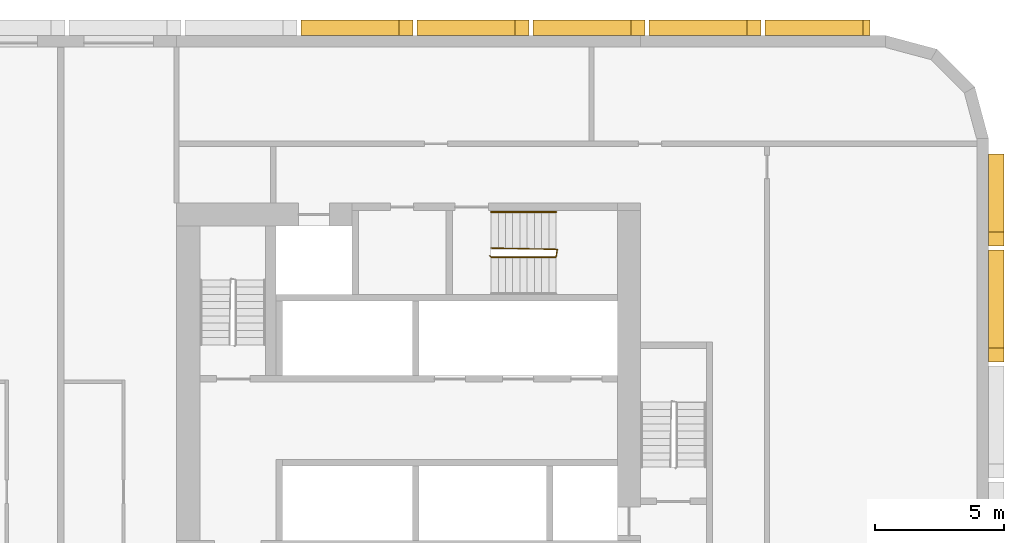
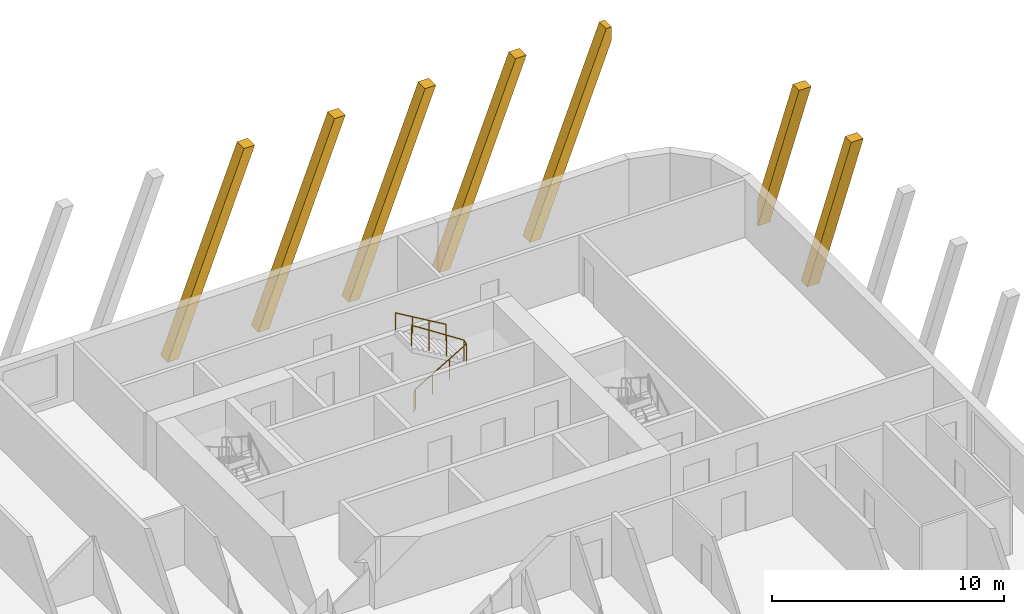
# One storey, part 13 of 13: 7 coverings, 2 railings.
"""IFC4 building model written with IfcOpenShell, lengths in metres."""

from ifc_helpers import new_model, si_unit, direction, frame, origin, origin_2d, place, context, subcontext, project, spatial, polyline, rectangle, circle, outline, extrude, material, material_profile, profile_set, type_object, element, save


model = new_model("IFC4")

# Units and contexts
model_context = context("Model", 3, precision=1e-05, world=origin(), true_north=direction((0.0, 1.0)))
body_context = subcontext(model_context, "Body", "Model", "MODEL_VIEW")
ifc_project = project(units=[si_unit("LENGTHUNIT", "METRE"), si_unit("AREAUNIT", "SQUARE_METRE"), si_unit("VOLUMEUNIT", "CUBIC_METRE"), si_unit("PLANEANGLEUNIT", "RADIAN"), si_unit("MASSUNIT", "GRAM", prefix="KILO")], contexts=[model_context])

# Site, building, storey
site_placement = place(None, origin())
site = spatial("IfcSite", under=ifc_project, at=site_placement, CompositionType="ELEMENT")
building_placement = place(site_placement, origin())
building = spatial("IfcBuilding", under=site, at=building_placement, Name="Kajstack Hotel Tower", CompositionType="ELEMENT")
storey_placement = place(building_placement, frame((0.0, 0.0, 69.89990234375)))
storey = spatial("IfcBuildingStorey", under=building, at=storey_placement, Name="L12", CompositionType="ELEMENT", Elevation=69.89990234375)

# Coverings
ifc_material_1 = material(Name="Terracotta", Category="masonry")
ifc_material_profile = material_profile(ifc_material_1, rectangle(XDim=0.60009765625, YDim=0.5, at=origin_2d()), Name="Terracotta-clad concrete baguette 500 x 600")
ifc_profile_set = profile_set([ifc_material_profile], Name="Terracotta")
covering_type = type_object("IfcCoveringType", Name="BAGUETTE 500x600", PredefinedType="CLADDING", material=ifc_profile_set)
covering_1_placement = place(storey_placement, frame((45.0, 9.332275390625, 0.0), z_axis=(1.0, 0.0, 0.0), x_axis=(0.0, 1.0, 0.0)))
element("IfcCovering", 1, at=covering_1_placement, inside=storey, type_object=covering_type, Name="Baguette L12-07-025", PredefinedType="CLADDING", context=body_context, shape_type="SweptSolid", body=[
    extrude(outline(polyline([(0.0, 9.89990234375), (3.80029296875, 0.0), (4.3359375, 0.0), (0.53564453125, 9.89990234375), (0.0, 9.89990234375)])), origin(), (0.0, 0.0, 1.0), 0.60009765625),
])
covering_2_placement = place(storey_placement, frame((45.0, 13.832275390625, 0.0), z_axis=(1.0, 0.0, 0.0), x_axis=(0.0, 1.0, 0.0)))
element("IfcCovering", 2, at=covering_2_placement, inside=storey, type_object=covering_type, Name="Baguette L12-07-029", PredefinedType="CLADDING", context=body_context, shape_type="SweptSolid", body=[
    extrude(outline(polyline([(0.0, 9.89990234375), (3.56787109375, 0.605712890625), (3.56787109375, 2.000732421875), (0.53564453125, 9.89990234375), (0.0, 9.89990234375)])), origin(), (0.0, 0.0, 1.0), 0.60009765625),
])
covering_3_placement = place(storey_placement, frame((40.39990234375, 22.0, 0.0), z_axis=(0.0, 1.0, 0.0), x_axis=(-1.0, 0.0, 0.0)))
element("IfcCovering", 3, at=covering_3_placement, inside=storey, type_object=covering_type, Name="Baguette L12-11-001", PredefinedType="CLADDING", context=body_context, shape_type="SweptSolid", body=[
    extrude(outline(polyline([(0.267822265625, 9.89990234375), (0.0, 9.89990234375), (0.0, 9.202392578125), (3.532470703125, 0.0), (4.068115234375, 0.0), (0.267822265625, 9.89990234375)])), origin(), (0.0, 0.0, 1.0), 0.60009765625),
])
for number, where, z_axis, x_axis, name in (
    (4, (36.167724609375, 22.0, 0.0), (0.0, 1.0, 0.0), (-1.0, 0.0, 0.0), "Baguette L12-11-005"),
    (5, (31.667724609375, 22.0, 0.0), (0.0, 1.0, 0.0), (-1.0, 0.0, 0.0), "Baguette L12-11-009"),
    (6, (27.167724609375, 22.0, 0.0), (0.0, 1.0, 0.0), (-1.0, 0.0, 0.0), "Baguette L12-11-013"),
    (7, (22.667724609375, 22.0, 0.0), (0.0, 1.0, 0.0), (-1.0, 0.0, 0.0), "Baguette L12-11-017"),
):
    element("IfcCovering", number, at=place(storey_placement, frame(where, z_axis=z_axis, x_axis=x_axis)), inside=storey, type_object=covering_type, Name=name, PredefinedType="CLADDING", context=body_context, shape_type="SweptSolid", body=[
        extrude(outline(polyline([(0.0, 9.89990234375), (3.80029296875, 0.0), (4.3359375, 0.0), (0.53564453125, 9.89990234375), (0.0, 9.89990234375)])), origin(), (0.0, 0.0, 1.0), 0.60009765625),
    ])

# Railings
ifc_material_2 = material(Name="Steel S355J2", Category="steel")
railing_type_1 = type_object("IfcRailingType", Name="Stair guard 1100", PredefinedType="GUARDRAIL", material=ifc_material_2)
railing_1_placement = place(storey_placement, frame((25.64990234375, 13.449951171875, 0.0)))
element("IfcRailing", 8, at=railing_1_placement, inside=storey, type_object=railing_type_1, Name="L12 E3 stair guard 1", PredefinedType="GUARDRAIL", context=body_context, shape_type="SweptSolid", body=[
    extrude(circle(Radius=0.02392578125, at=origin_2d()), frame((0.0, 0.0, 1.076171875), z_axis=(0.278705021027, -0.278705021027, 0.919046801044), x_axis=(0.707106781187, 0.707106781187, 0.0)), (0.0, 0.0, 1.0), 0.1796875),
    extrude(circle(Radius=0.02392578125, at=origin_2d()), frame((0.050048828125, -0.050048828125, 1.2412109375), z_axis=(0.86152411907, 0.0, 0.507716645641), x_axis=(0.0, 1.0, 0.0)), (0.0, 0.0, 1.0), 2.925048828125),
    extrude(circle(Radius=0.02392578125, at=origin_2d()), frame((2.570068359375, -0.050048828125, 2.72607421875), z_axis=(0.164529134168, 0.986372223864, 0.0), x_axis=(-0.986372223864, 0.164529134168, 0.0)), (0.0, 0.0, 1.0), 0.30419921875),
    extrude(circle(Radius=0.02392578125, at=origin_2d()), frame((2.6201171875, 0.25, 2.72607421875), z_axis=(-0.841405582595, 0.016385308676, 0.540155687962), x_axis=(-0.019470042781, -0.999810440751, 0.0)), (0.0, 0.0, 1.0), 3.054443359375),
    extrude(circle(Radius=0.02099609375, at=origin_2d()), origin(), (0.0, 0.0, 1.0), 1.052001953125),
    extrude(circle(Radius=0.02099609375, at=origin_2d()), frame((0.050048828125, -0.050048828125, 0.1650390625)), (0.0, 0.0, 1.0), 1.052001953125),
    extrude(circle(Radius=0.02099609375, at=origin_2d()), frame((0.89013671875, -0.050048828125, 0.66015625)), (0.0, 0.0, 1.0), 1.052001953125),
    extrude(circle(Radius=0.02099609375, at=origin_2d()), frame((1.72998046875, -0.050048828125, 1.155029296875)), (0.0, 0.0, 1.0), 1.052001953125),
    extrude(circle(Radius=0.02099609375, at=origin_2d()), frame((2.570068359375, -0.050048828125, 1.650146484375)), (0.0, 0.0, 1.0), 1.052001953125),
    extrude(circle(Radius=0.02099609375, at=origin_2d()), frame((2.6201171875, 0.25, 1.650146484375)), (0.0, 0.0, 1.0), 1.052001953125),
    extrude(circle(Radius=0.02099609375, at=origin_2d()), frame((1.763427734375, 0.2666015625, 2.2001953125)), (0.0, 0.0, 1.0), 1.052001953125),
    extrude(circle(Radius=0.02099609375, at=origin_2d()), frame((0.90673828125, 0.283447265625, 2.75)), (0.0, 0.0, 1.0), 1.052001953125),
    extrude(circle(Radius=0.02099609375, at=origin_2d()), frame((0.050048828125, 0.300048828125, 3.300048828125)), (0.0, 0.0, 1.0), 1.052001953125),
])
railing_type_2 = type_object("IfcRailingType", Name="Stair handrail 900", PredefinedType="HANDRAIL", material=ifc_material_2)
railing_2_placement = place(storey_placement, frame((28.219970703125, 15.14990234375, 1.815185546875)))
element("IfcRailing", 9, at=railing_2_placement, inside=storey, type_object=railing_type_2, Name="L12 E3 stair handrail 2", PredefinedType="HANDRAIL", context=body_context, shape_type="SweptSolid", body=[
    extrude(circle(Radius=0.02392578125, at=origin_2d()), frame((0.0, 0.0, 0.8759765625), z_axis=(-0.861560626758, 0.0, 0.507654692109), x_axis=(0.0, -1.0, 0.0)), (0.0, 0.0, 1.0), 2.925048828125),
    extrude(circle(Radius=0.02099609375, at=origin_2d()), origin(), (0.0, 0.0, 1.0), 0.851806640625),
    extrude(circle(Radius=0.02099609375, at=origin_2d()), frame((-0.840087890625, 0.0, 0.494873046875)), (0.0, 0.0, 1.0), 0.851806640625),
    extrude(circle(Radius=0.02099609375, at=origin_2d()), frame((-1.679931640625, 0.0, 0.989990234375)), (0.0, 0.0, 1.0), 0.851806640625),
    extrude(circle(Radius=0.02099609375, at=origin_2d()), frame((-2.52001953125, 0.0, 1.48486328125)), (0.0, 0.0, 1.0), 0.851806640625),
])

save(model, "model.ifc")
